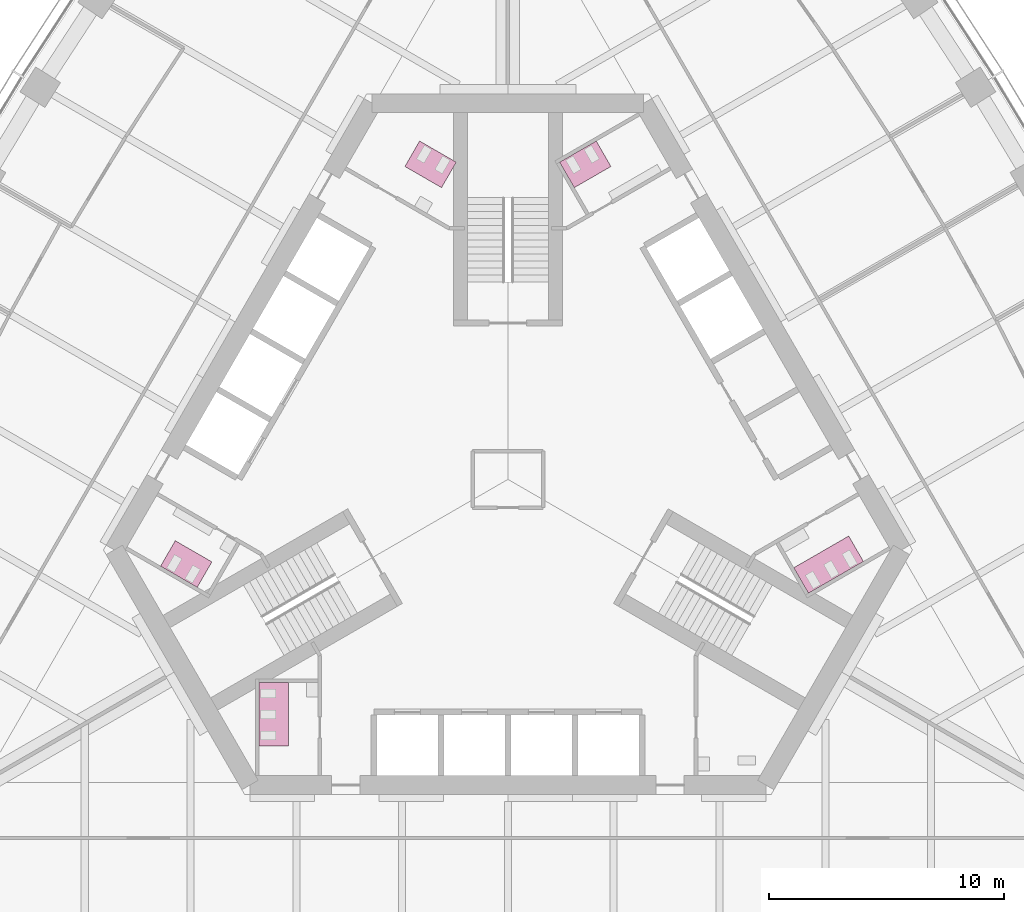
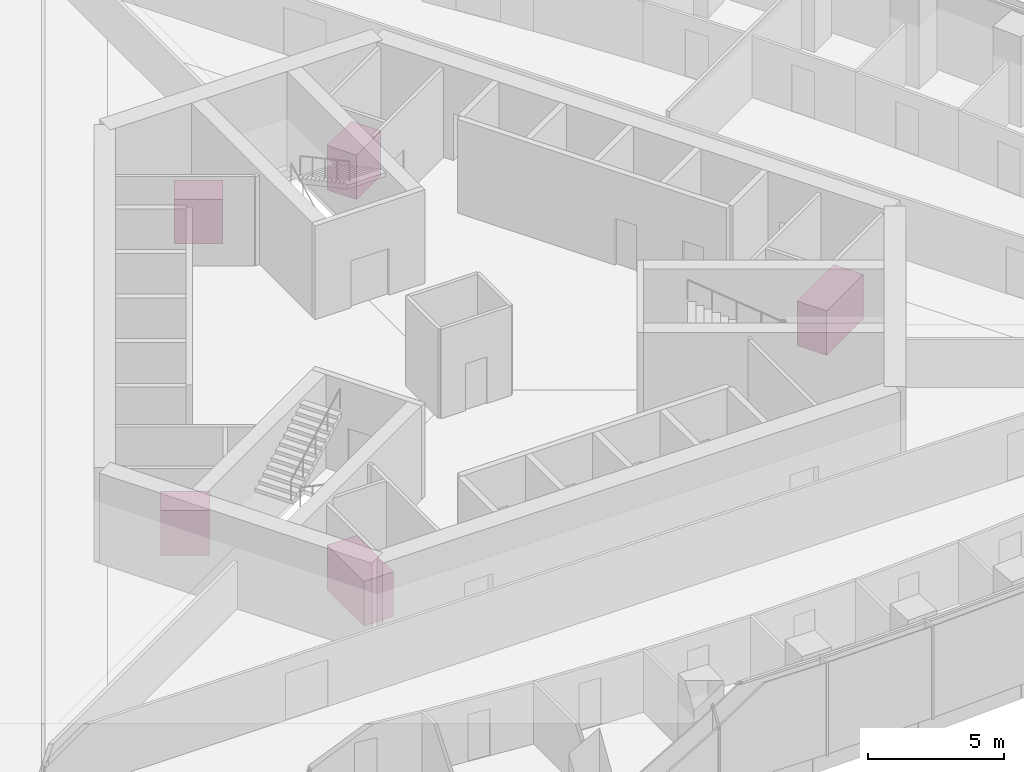
# One storey, part 21 of 21: 5 furniture elements.
"""IFC4 building model written with IfcOpenShell, lengths in metres."""

import ifcopenshell
import ifcopenshell.guid

model = None  # the IFC model being written
_history = None  # IfcOwnerHistory: only IFC2X3 demands one
_inside = {}  # id of a spatial element -> (the spatial element, [elements in it])
_under = {}  # id of a project, library or spatial element -> (it, [spatial elements below it])
_declared = {}  # id of a project -> (the project, [libraries it declares])
_typed = {}  # id of a type object -> (the type object, [elements of that type])
_made_of = {}  # id of a material, layer set ... -> (it, [elements and type objects made of it])


def new_model(schema):
    """Start an empty IFC model of exactly this schema.

    Asked for "IFC4X3", IfcOpenShell would pick the latest addendum, in which some entities
    have other attributes; the version numbers below select the first issue.
    IFC2X3 requires an IfcOwnerHistory on every rooted entity: one is made here for all.
    """
    global model, _history
    if schema == "IFC4X3":
        model = ifcopenshell.file(schema_version=(4, 3, 0, 0))
    else:
        model = ifcopenshell.file(schema=schema)
    _inside.clear()
    _under.clear()
    _declared.clear()
    _typed.clear()
    _made_of.clear()
    _history = None
    if model.schema == "IFC2X3":
        org = make("IfcOrganization", Name="unknown")
        user = make(
            "IfcPersonAndOrganization",
            ThePerson=make("IfcPerson", FamilyName="unknown"),
            TheOrganization=org,
        )
        app = make(
            "IfcApplication",
            ApplicationDeveloper=org,
            Version="unknown",
            ApplicationFullName="unknown",
            ApplicationIdentifier="unknown",
        )
        _history = make(
            "IfcOwnerHistory",
            OwningUser=user,
            OwningApplication=app,
            ChangeAction="ADDED",
            CreationDate=0,
        )
    return model


def make(cls, **values):
    """One entity of the class cls with the attributes given. An attribute that is None is left unset."""
    return model.create_entity(
        cls, **{name: value for name, value in values.items() if value is not None}
    )


def rooted(cls, **values):
    """An entity with a GlobalId (a new one), such as an element, a storey or a relation."""
    return make(cls, GlobalId=ifcopenshell.guid.new(), OwnerHistory=_history, **values)


def si_unit(unit_type, name, prefix=None):
    """IfcSIUnit, for example si_unit("LENGTHUNIT", "METRE", prefix="MILLI")."""
    return make("IfcSIUnit", UnitType=unit_type, Prefix=prefix, Name=name)


def assignment(units):
    """IfcUnitAssignment: the units of a project."""
    return None if units is None else make("IfcUnitAssignment", Units=units)


def point(xyz):
    """IfcCartesianPoint."""
    return None if xyz is None else make("IfcCartesianPoint", Coordinates=xyz)


def direction(xyz):
    """IfcDirection."""
    return None if xyz is None else make("IfcDirection", DirectionRatios=xyz)


def frame(location, z_axis=None, x_axis=None):
    """IfcAxis2Placement3D, a coordinate frame: its origin and axes. An axis left out is left unset."""
    return make(
        "IfcAxis2Placement3D",
        Location=point(location),
        Axis=direction(z_axis),
        RefDirection=direction(x_axis),
    )


def origin():
    """The frame at (0, 0, 0) with its axes left unset."""
    return frame((0.0, 0.0, 0.0))


def place(relative_to, where):
    """IfcLocalPlacement: puts the frame where relative to a parent placement (None: the world)."""
    return make(
        "IfcLocalPlacement", PlacementRelTo=relative_to, RelativePlacement=where
    )


def context(
    kind, dimensions, precision=None, world=None, true_north=None, identifier=None
):
    """IfcGeometricRepresentationContext, for example the 3D "Model" context."""
    return make(
        "IfcGeometricRepresentationContext",
        ContextIdentifier=identifier,
        ContextType=kind,
        CoordinateSpaceDimension=dimensions,
        Precision=precision,
        WorldCoordinateSystem=world,
        TrueNorth=true_north,
    )


def subcontext(parent, identifier, kind, view, scale=None):
    """IfcGeometricRepresentationSubContext, for example "Body" below "Model"."""
    return make(
        "IfcGeometricRepresentationSubContext",
        ContextIdentifier=identifier,
        ContextType=kind,
        ParentContext=parent,
        TargetScale=scale,
        TargetView=view,
    )


def project(units=None, contexts=None):
    """IfcProject with its units and contexts."""
    return rooted(
        "IfcProject",
        Name="project",
        RepresentationContexts=contexts,
        UnitsInContext=assignment(units),
    )


def spatial(cls, under=None, at=None, **own):
    """A site, building, storey or space (cls), placed at a placement, below another one or the project."""
    s = rooted(cls, ObjectPlacement=at, **own)
    if under is not None:
        _under.setdefault(under.id(), (under, []))[1].append(s)
    return s


def polyline(points):
    """IfcPolyline through the points."""
    return make("IfcPolyline", Points=[point(p) for p in points])


def outline(outer, holes=None, kind="AREA"):
    """IfcArbitraryClosedProfileDef: a profile drawn as a closed curve; with holes, ...WithVoids."""
    if holes is None:
        return make("IfcArbitraryClosedProfileDef", ProfileType=kind, OuterCurve=outer)
    return make(
        "IfcArbitraryProfileDefWithVoids",
        ProfileType=kind,
        OuterCurve=outer,
        InnerCurves=holes,
    )


def extrude(swept, where, along, depth):
    """IfcExtrudedAreaSolid: the profile swept, set in the frame where, extruded along a direction by depth."""
    return make(
        "IfcExtrudedAreaSolid",
        SweptArea=swept,
        Position=where,
        ExtrudedDirection=direction(along),
        Depth=depth,
    )


def shape(context_of_items, identifier, shape_type, items):
    """IfcShapeRepresentation: the items that make up one representation, for example the "Body"."""
    return make(
        "IfcShapeRepresentation",
        ContextOfItems=context_of_items,
        RepresentationIdentifier=identifier,
        RepresentationType=shape_type,
        Items=items,
    )


def material(Name=None, Category=None):
    """IfcMaterial."""
    return make("IfcMaterial", Name=Name, Category=Category)


def made_of(thing, what):
    """Note that an element or type object is made of a material, layer set ...; save() writes the relation."""
    if what is not None:
        _made_of.setdefault(what.id(), (what, []))[1].append(thing)
    return thing


def type_object(cls, material=None, **own):
    """A type object (cls), such as IfcWallType, which elements share."""
    return made_of(rooted(cls, **own), material)


def element(
    cls,
    number,
    at=None,
    inside=None,
    cuts=None,
    type_object=None,
    material=None,
    context=None,
    identifier="Body",
    shape_type=None,
    held_by="IfcProductDefinitionShape",
    body=None,
    shapes=None,
    **own,
):
    """One element of the class cls, such as IfcWall. Its Tag is "e" and its number.

    at: its placement. inside: the storey or other place that contains it. cuts: it is an
    opening in that element (IfcRelVoidsElement). A single representation is given by context,
    identifier, shape_type and body (its items); several are given by shapes. held_by: the class
    of the entity that holds the representations. save() writes the other relations.
    """
    e = rooted(cls, Tag="e%d" % number, ObjectPlacement=at, **own)
    if body is not None:
        shapes = [shape(context, identifier, shape_type, body)]
    if shapes is not None:
        e.Representation = make(held_by, Representations=shapes)
    if inside is not None:
        _inside.setdefault(inside.id(), (inside, []))[1].append(e)
    if cuts is not None:
        rooted(
            "IfcRelVoidsElement", RelatingBuildingElement=cuts, RelatedOpeningElement=e
        )
    if type_object is not None:
        _typed.setdefault(type_object.id(), (type_object, []))[1].append(e)
    return made_of(e, material)


def aggregate(whole, parts):
    """IfcRelAggregates: a whole, such as a stair, and the parts it consists of."""
    return rooted("IfcRelAggregates", RelatingObject=whole, RelatedObjects=parts)


def save(model, path):
    """Write the relations noted so far, then the file.

    IfcRelAggregates (storeys below a building ...), IfcRelContainedInSpatialStructure (elements
    in a storey), IfcRelDefinesByType, IfcRelAssociatesMaterial and IfcRelDeclares: one each for
    every whole, place, type object, material and project.
    """
    for whole, parts in _under.values():
        aggregate(whole, parts)
    for where, things in _inside.values():
        rooted(
            "IfcRelContainedInSpatialStructure",
            RelatedElements=things,
            RelatingStructure=where,
        )
    for kind, things in _typed.values():
        rooted("IfcRelDefinesByType", RelatedObjects=things, RelatingType=kind)
    for what, things in _made_of.values():
        rooted("IfcRelAssociatesMaterial", RelatedObjects=things, RelatingMaterial=what)
    for by, libraries in _declared.values():
        rooted("IfcRelDeclares", RelatingContext=by, RelatedDefinitions=libraries)
    model.write(path)


model = new_model("IFC4")

# Units and contexts
model_context = context("Model", 3, precision=1e-05, world=origin(), true_north=direction((0.0, 1.0)))
body_context = subcontext(model_context, "Body", "Model", "MODEL_VIEW")
ifc_project = project(units=[si_unit("LENGTHUNIT", "METRE"), si_unit("AREAUNIT", "SQUARE_METRE"), si_unit("VOLUMEUNIT", "CUBIC_METRE"), si_unit("PLANEANGLEUNIT", "RADIAN"), si_unit("MASSUNIT", "GRAM", prefix="KILO")], contexts=[model_context])

# Site, building, storey
site_placement = place(None, origin())
site = spatial("IfcSite", under=ifc_project, at=site_placement, CompositionType="ELEMENT")
building_placement = place(site_placement, origin())
building = spatial("IfcBuilding", under=site, at=building_placement, Name="Trefoil Bronze Tower", CompositionType="ELEMENT")
storey_placement = place(building_placement, frame((0.0, 0.0, 145.10009765625)))
storey = spatial("IfcBuildingStorey", under=building, at=storey_placement, Name="L33", CompositionType="ELEMENT", Elevation=145.10009765625)

# Furniture
ifc_material_1 = material(Name="Compact laminate cubicles", Category="plastic")
furniture_type_1 = type_object("IfcFurnitureType", Name="WC cubicle range 2 cubicles", AssemblyPlace="FACTORY", PredefinedType="USERDEFINED", material=ifc_material_1)
furniture_1_placement = place(storey_placement, origin())
element("IfcFurniture", 1, at=furniture_1_placement, inside=storey, type_object=furniture_type_1, Name="WC cubicle range WC (men) L33", ObjectType="WC cubicle range", PredefinedType="USERDEFINED", context=body_context, shape_type="SweptSolid", body=[
    extrude(outline(polyline([(2.82373046875, 12.409423828125), (2.19873046875, 13.491943359375), (3.757568359375, 14.391845703125), (4.382568359375, 13.309326171875), (2.82373046875, 12.409423828125)])), origin(), (0.0, 0.0, 1.0), 2.0),
])
furniture_2_placement = place(storey_placement, origin())
element("IfcFurniture", 2, at=furniture_2_placement, inside=storey, type_object=furniture_type_1, Name="WC cubicle range WC (women) L33", ObjectType="WC cubicle range", PredefinedType="USERDEFINED", context=body_context, shape_type="SweptSolid", body=[
    extrude(outline(polyline([(-2.82373046875, 12.409423828125), (-2.19873046875, 13.491943359375), (-3.757568359375, 14.391845703125), (-4.382568359375, 13.309326171875), (-2.82373046875, 12.409423828125)])), origin(), (0.0, 0.0, 1.0), 2.0),
])
furniture_3_placement = place(storey_placement, origin())
element("IfcFurniture", 3, at=furniture_3_placement, inside=storey, type_object=furniture_type_1, Name="WC cubicle range WC (men) L33", ObjectType="WC cubicle range", PredefinedType="USERDEFINED", context=body_context, shape_type="SweptSolid", body=[
    extrude(outline(polyline([(-12.591552734375, -3.50927734375), (-13.216552734375, -4.591796875), (-14.775390625, -3.69189453125), (-14.150390625, -2.609375), (-12.591552734375, -3.50927734375)])), origin(), (0.0, 0.0, 1.0), 2.0),
])
ifc_material_2 = material(Name="Compact laminate cubicles", Category="plastic")
furniture_type_2 = type_object("IfcFurnitureType", Name="WC cubicle range 3 cubicles", AssemblyPlace="FACTORY", PredefinedType="USERDEFINED", material=ifc_material_2)
furniture_4_placement = place(storey_placement, origin())
element("IfcFurniture", 4, at=furniture_4_placement, inside=storey, type_object=furniture_type_2, Name="WC cubicle range WC (women) L33", ObjectType="WC cubicle range", PredefinedType="USERDEFINED", context=body_context, shape_type="SweptSolid", body=[
    extrude(outline(polyline([(12.15869140625, -3.75927734375), (12.78369140625, -4.841796875), (15.121826171875, -3.491943359375), (14.496826171875, -2.409423828125), (12.15869140625, -3.75927734375)])), origin(), (0.0, 0.0, 1.0), 2.0),
])
furniture_5_placement = place(storey_placement, origin())
element("IfcFurniture", 5, at=furniture_5_placement, inside=storey, type_object=furniture_type_2, Name="WC cubicle range WC (women) L33", ObjectType="WC cubicle range", PredefinedType="USERDEFINED", context=body_context, shape_type="SweptSolid", body=[
    extrude(outline(polyline([(-9.3349609375, -8.64990234375), (-10.5849609375, -8.64990234375), (-10.5849609375, -11.35009765625), (-9.3349609375, -11.35009765625), (-9.3349609375, -8.64990234375)])), origin(), (0.0, 0.0, 1.0), 2.0),
])

save(model, "model.ifc")
